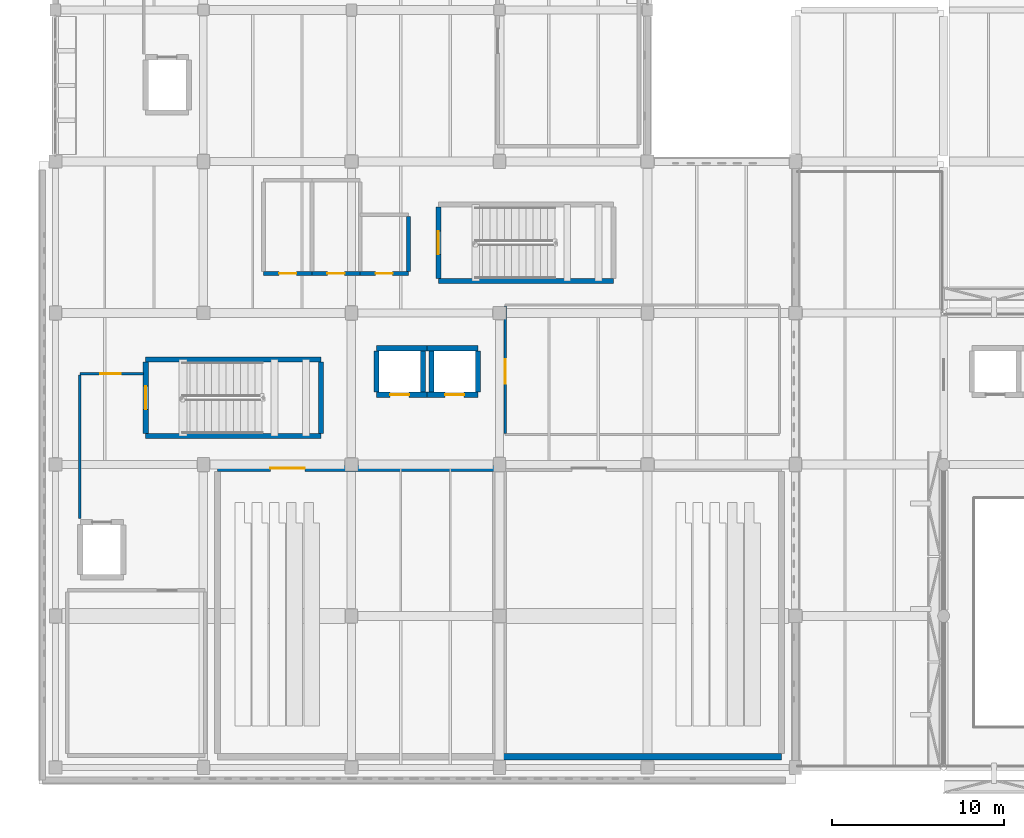
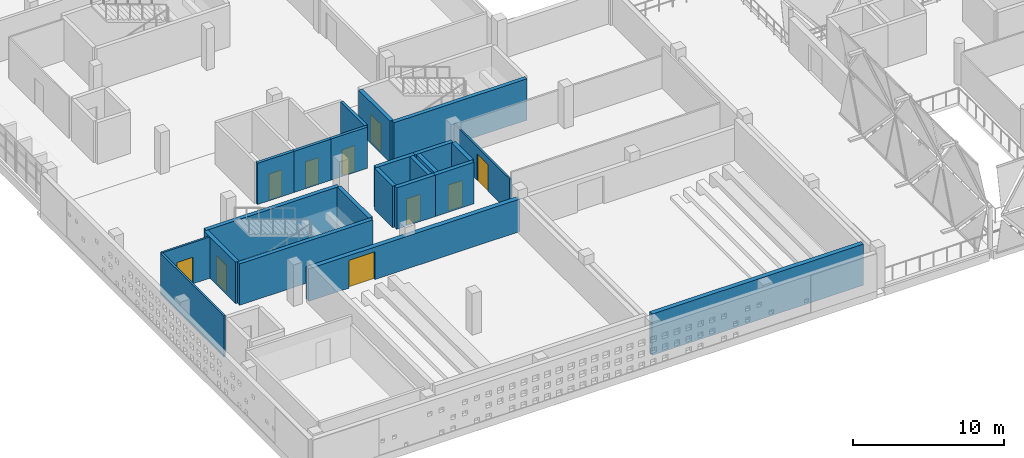
# One storey, part 76 of 93: 23 walls, 10 doors, 10 openings.
"""IFC4 building model written with IfcOpenShell, lengths in metres."""

from ifc_helpers import new_model, si_unit, direction, frame, frame_2d, origin, place, context, subcontext, project, spatial, rectangle, extrude, material, layer, layer_set, type_object, element, fill, save


model = new_model("IFC4")

# Units and contexts
model_context = context("Model", 3, precision=1e-05, world=origin(), true_north=direction((0.0, 1.0)))
body_context = subcontext(model_context, "Body", "Model", "MODEL_VIEW")
ifc_project = project(units=[si_unit("LENGTHUNIT", "METRE"), si_unit("AREAUNIT", "SQUARE_METRE"), si_unit("VOLUMEUNIT", "CUBIC_METRE"), si_unit("PLANEANGLEUNIT", "RADIAN"), si_unit("MASSUNIT", "GRAM", prefix="KILO")], contexts=[model_context])

# Site, building, storey
site_placement = place(None, origin())
site = spatial("IfcSite", under=ifc_project, at=site_placement, CompositionType="ELEMENT")
building_placement = place(site_placement, origin())
building = spatial("IfcBuilding", under=site, at=building_placement, Name="Varnakota Cinema and Media Centre", CompositionType="ELEMENT")
storey_placement = place(building_placement, frame((0.0, 0.0, 12.0)))
storey = spatial("IfcBuildingStorey", under=building, at=storey_placement, Name="L03", CompositionType="ELEMENT", Elevation=12.0)

# Wall
ifc_material_1 = material(Name="Concrete M40", Category="concrete")
ifc_layer_1 = layer(ifc_material_1, 0.300048828125)
ifc_layer_set_1 = layer_set([ifc_layer_1], Name="Concrete M40")
wall_type_1 = type_object("IfcWallType", Name="W-CORE-300", PredefinedType="SHEAR", material=ifc_layer_set_1)
wall_1_placement = place(storey_placement, frame((15.429931640625, 19.25, 0.0), z_axis=(0.0, 0.0, 1.0), x_axis=(-1.0, 0.0, 0.0)))
element("IfcWall", 1, at=wall_1_placement, inside=storey, type_object=wall_type_1, Name="L03 CWALL-ST-01-L03 S wall", PredefinedType="SHEAR", context=body_context, shape_type="SweptSolid", body=[
    extrude(rectangle(XDim=10.179931640625, YDim=0.300048828125, at=frame_2d((5.08984375, 0.0))), origin(), (0.0, 0.0, 1.0), 3.35009765625),
])

# Wall, opening, door
wall_2_placement = place(storey_placement, frame((5.25, 19.39990234375, 0.0), z_axis=(0.0, 0.0, 1.0), x_axis=(0.0, 1.0, 0.0)))
wall_2 = element("IfcWall", 2, at=wall_2_placement, inside=storey, type_object=wall_type_1, Name="L03 CWALL-ST-01-L03 W wall", PredefinedType="SHEAR", context=body_context, shape_type="SweptSolid", body=[
    extrude(rectangle(XDim=4.150146484375, YDim=0.300048828125, at=frame_2d((2.0751953125, 0.0))), origin(), (0.0, 0.0, 1.0), 3.35009765625),
])
opening_1_placement = place(wall_2_placement, frame((1.39990234375, 0.0, 0.0)))
opening_1 = element("IfcOpeningElement", 3, at=opening_1_placement, cuts=wall_2, Name="Opening SD-01", PredefinedType="OPENING", context=body_context, shape_type="SweptSolid", body=[
    extrude(rectangle(XDim=1.35009765625, YDim=2.199951171875, at=frame_2d((0.675048828125, 1.10009765625))), frame((0.0, 0.14990234375, 0.0), z_axis=(0.0, -1.0, 0.0), x_axis=(1.0, 0.0, 0.0)), (0.0, 0.0, 1.0), 0.300048828125),
])
ifc_material_2 = material(Name="Thermally broken anodised aluminium AW-6063", Category="aluminium")
door_type_1 = type_object("IfcDoorType", Name="DR-STAIR-1350x2200", OperationType="NOTDEFINED", PredefinedType="DOOR", material=ifc_material_2)
door_1_placement = place(opening_1_placement, origin())
door_1 = element("IfcDoor", 4, at=door_1_placement, inside=storey, type_object=door_type_1, Name="L03 door SD-01", OperationType="SINGLE_SWING_RIGHT", OverallHeight=2.199951171875, OverallWidth=1.35009765625, PredefinedType="DOOR", context=body_context, shape_type="SweptSolid", body=[
    extrude(rectangle(XDim=1.35009765625, YDim=2.199951171875, at=frame_2d((0.675048828125, 1.10009765625))), frame((0.0, 0.02490234375, 0.0), z_axis=(0.0, -1.0, 0.0), x_axis=(1.0, 0.0, 0.0)), (0.0, 0.0, 1.0), 0.050048828125),
])
fill(opening_1, door_1)

# Walls
wall_3_placement = place(storey_placement, frame((5.25, 23.699951171875, 0.0), z_axis=(0.0, 0.0, 1.0), x_axis=(1.0, 0.0, 0.0)))
element("IfcWall", 5, at=wall_3_placement, inside=storey, type_object=wall_type_1, Name="L03 CWALL-ST-01-L03 N wall", PredefinedType="SHEAR", context=body_context, shape_type="SweptSolid", body=[
    extrude(rectangle(XDim=10.179931640625, YDim=0.300048828125, at=frame_2d((5.08984375, 0.0))), origin(), (0.0, 0.0, 1.0), 3.35009765625),
])
wall_4_placement = place(storey_placement, frame((15.429931640625, 23.550048828125, 0.0), z_axis=(0.0, 0.0, 1.0), x_axis=(0.0, -1.0, 0.0)))
element("IfcWall", 6, at=wall_4_placement, inside=storey, type_object=wall_type_1, Name="L03 CWALL-ST-01-L03 E wall", PredefinedType="SHEAR", context=body_context, shape_type="SweptSolid", body=[
    extrude(rectangle(XDim=4.150146484375, YDim=0.300048828125, at=frame_2d((2.0751953125, 0.0))), origin(), (0.0, 0.0, 1.0), 3.35009765625),
])
wall_5_placement = place(storey_placement, frame((32.429931640625, 28.25, 0.0), z_axis=(0.0, 0.0, 1.0), x_axis=(-1.0, 0.0, 0.0)))
element("IfcWall", 7, at=wall_5_placement, inside=storey, type_object=wall_type_1, Name="L03 CWALL-ST-02-L03 S wall", PredefinedType="SHEAR", context=body_context, shape_type="SweptSolid", body=[
    extrude(rectangle(XDim=10.179931640625, YDim=0.300048828125, at=frame_2d((5.08984375, 0.0))), origin(), (0.0, 0.0, 1.0), 3.35009765625),
])

# Wall, opening, door
wall_6_placement = place(storey_placement, frame((22.25, 28.39990234375, 0.0), z_axis=(0.0, 0.0, 1.0), x_axis=(0.0, 1.0, 0.0)))
wall_6 = element("IfcWall", 8, at=wall_6_placement, inside=storey, type_object=wall_type_1, Name="L03 CWALL-ST-02-L03 W wall", PredefinedType="SHEAR", context=body_context, shape_type="SweptSolid", body=[
    extrude(rectangle(XDim=4.150146484375, YDim=0.300048828125, at=frame_2d((2.0751953125, 0.0))), origin(), (0.0, 0.0, 1.0), 3.35009765625),
])
opening_2_placement = place(wall_6_placement, frame((1.39990234375, 0.0, 0.0)))
opening_2 = element("IfcOpeningElement", 9, at=opening_2_placement, cuts=wall_6, Name="Opening SD-02", PredefinedType="OPENING", context=body_context, shape_type="SweptSolid", body=[
    extrude(rectangle(XDim=1.35009765625, YDim=2.199951171875, at=frame_2d((0.675048828125, 1.10009765625))), frame((0.0, 0.14990234375, 0.0), z_axis=(0.0, -1.0, 0.0), x_axis=(1.0, 0.0, 0.0)), (0.0, 0.0, 1.0), 0.300048828125),
])
door_2_placement = place(opening_2_placement, origin())
door_2 = element("IfcDoor", 10, at=door_2_placement, inside=storey, type_object=door_type_1, Name="L03 door SD-02", OperationType="SINGLE_SWING_RIGHT", OverallHeight=2.199951171875, OverallWidth=1.35009765625, PredefinedType="DOOR", context=body_context, shape_type="SweptSolid", body=[
    extrude(rectangle(XDim=1.35009765625, YDim=2.199951171875, at=frame_2d((0.675048828125, 1.10009765625))), frame((0.0, 0.02490234375, 0.0), z_axis=(0.0, -1.0, 0.0), x_axis=(1.0, 0.0, 0.0)), (0.0, 0.0, 1.0), 0.050048828125),
])
fill(opening_2, door_2)

wall_7_placement = place(storey_placement, frame((21.60009765625, 21.64990234375, 0.0), z_axis=(0.0, 0.0, 1.0), x_axis=(-1.0, 0.0, 0.0)))
wall_7 = element("IfcWall", 11, at=wall_7_placement, inside=storey, type_object=wall_type_1, Name="L03 LSHAFT-LF-03-L03 S wall", PredefinedType="SHEAR", context=body_context, shape_type="SweptSolid", body=[
    extrude(rectangle(XDim=2.9501953125, YDim=0.300048828125, at=frame_2d((1.47509765625, 0.0))), origin(), (0.0, 0.0, 1.0), 3.35009765625),
])
opening_3_placement = place(wall_7_placement, frame((1.050048828125, 0.0, 0.0)))
opening_3 = element("IfcOpeningElement", 12, at=opening_3_placement, cuts=wall_7, Name="Opening LD-03", PredefinedType="OPENING", context=body_context, shape_type="SweptSolid", body=[
    extrude(rectangle(XDim=1.10009765625, YDim=2.10009765625, at=frame_2d((0.550048828125, 1.050048828125))), frame((0.0, 0.14990234375, 0.0), z_axis=(0.0, -1.0, 0.0), x_axis=(1.0, 0.0, 0.0)), (0.0, 0.0, 1.0), 0.300048828125),
])
ifc_material_3 = material(Name="Thermally broken anodised aluminium AW-6063", Category="aluminium")
door_type_2 = type_object("IfcDoorType", Name="DR-LIFT-1100x2100", OperationType="SLIDING_TO_LEFT", PredefinedType="DOOR", material=ifc_material_3)
door_3_placement = place(opening_3_placement, origin())
door_3 = element("IfcDoor", 13, at=door_3_placement, inside=storey, type_object=door_type_2, Name="L03 door LD-03", OperationType="SLIDING_TO_LEFT", OverallHeight=2.10009765625, OverallWidth=1.10009765625, PredefinedType="DOOR", context=body_context, shape_type="SweptSolid", body=[
    extrude(rectangle(XDim=1.10009765625, YDim=2.10009765625, at=frame_2d((0.550048828125, 1.050048828125))), frame((0.0, 0.02490234375, 0.0), z_axis=(0.0, -1.0, 0.0), x_axis=(1.0, 0.0, 0.0)), (0.0, 0.0, 1.0), 0.050048828125),
])
fill(opening_3, door_3)

# Walls
wall_8_placement = place(storey_placement, frame((18.64990234375, 21.800048828125, 0.0), z_axis=(0.0, 0.0, 1.0), x_axis=(0.0, 1.0, 0.0)))
element("IfcWall", 14, at=wall_8_placement, inside=storey, type_object=wall_type_1, Name="L03 LSHAFT-LF-03-L03 W wall", PredefinedType="SHEAR", context=body_context, shape_type="SweptSolid", body=[
    extrude(rectangle(XDim=2.39990234375, YDim=0.300048828125, at=frame_2d((1.199951171875, 0.0))), origin(), (0.0, 0.0, 1.0), 3.35009765625),
])
wall_9_placement = place(storey_placement, frame((18.64990234375, 24.35009765625, 0.0), z_axis=(0.0, 0.0, 1.0), x_axis=(1.0, 0.0, 0.0)))
element("IfcWall", 15, at=wall_9_placement, inside=storey, type_object=wall_type_1, Name="L03 LSHAFT-LF-03-L03 N wall", PredefinedType="SHEAR", context=body_context, shape_type="SweptSolid", body=[
    extrude(rectangle(XDim=2.9501953125, YDim=0.300048828125, at=frame_2d((1.47509765625, 0.0))), origin(), (0.0, 0.0, 1.0), 3.35009765625),
])
wall_10_placement = place(storey_placement, frame((21.35009765625, 24.199951171875, 0.0), z_axis=(0.0, 0.0, 1.0), x_axis=(0.0, -1.0, 0.0)))
element("IfcWall", 16, at=wall_10_placement, inside=storey, type_object=wall_type_1, Name="L03 LSHAFT-LF-03-L03 E wall", PredefinedType="SHEAR", context=body_context, shape_type="SweptSolid", body=[
    extrude(rectangle(XDim=2.39990234375, YDim=0.300048828125, at=frame_2d((1.199951171875, 0.0))), origin(), (0.0, 0.0, 1.0), 3.35009765625),
])

# Wall, opening, door
wall_11_placement = place(storey_placement, frame((24.550048828125, 21.64990234375, 0.0), z_axis=(0.0, 0.0, 1.0), x_axis=(-1.0, 0.0, 0.0)))
wall_11 = element("IfcWall", 17, at=wall_11_placement, inside=storey, type_object=wall_type_1, Name="L03 LSHAFT-LF-04-L03 S wall", PredefinedType="SHEAR", context=body_context, shape_type="SweptSolid", body=[
    extrude(rectangle(XDim=2.949951171875, YDim=0.300048828125, at=frame_2d((1.47509765625, 0.0))), origin(), (0.0, 0.0, 1.0), 3.35009765625),
])
opening_4_placement = place(wall_11_placement, frame((0.800048828125, 0.0, 0.0)))
opening_4 = element("IfcOpeningElement", 18, at=opening_4_placement, cuts=wall_11, Name="Opening LD-04", PredefinedType="OPENING", context=body_context, shape_type="SweptSolid", body=[
    extrude(rectangle(XDim=1.10009765625, YDim=2.10009765625, at=frame_2d((0.550048828125, 1.050048828125))), frame((0.0, 0.14990234375, 0.0), z_axis=(0.0, -1.0, 0.0), x_axis=(1.0, 0.0, 0.0)), (0.0, 0.0, 1.0), 0.300048828125),
])
door_4_placement = place(opening_4_placement, origin())
door_4 = element("IfcDoor", 19, at=door_4_placement, inside=storey, type_object=door_type_2, Name="L03 door LD-04", OperationType="SLIDING_TO_LEFT", OverallHeight=2.10009765625, OverallWidth=1.10009765625, PredefinedType="DOOR", context=body_context, shape_type="SweptSolid", body=[
    extrude(rectangle(XDim=1.10009765625, YDim=2.10009765625, at=frame_2d((0.550048828125, 1.050048828125))), frame((0.0, 0.02490234375, 0.0), z_axis=(0.0, -1.0, 0.0), x_axis=(1.0, 0.0, 0.0)), (0.0, 0.0, 1.0), 0.050048828125),
])
fill(opening_4, door_4)

# Walls
wall_12_placement = place(storey_placement, frame((21.85009765625, 21.800048828125, 0.0), z_axis=(0.0, 0.0, 1.0), x_axis=(0.0, 1.0, 0.0)))
element("IfcWall", 20, at=wall_12_placement, inside=storey, type_object=wall_type_1, Name="L03 LSHAFT-LF-04-L03 W wall", PredefinedType="SHEAR", context=body_context, shape_type="SweptSolid", body=[
    extrude(rectangle(XDim=2.39990234375, YDim=0.300048828125, at=frame_2d((1.199951171875, 0.0))), origin(), (0.0, 0.0, 1.0), 3.35009765625),
])
wall_13_placement = place(storey_placement, frame((21.60009765625, 24.35009765625, 0.0), z_axis=(0.0, 0.0, 1.0), x_axis=(1.0, 0.0, 0.0)))
element("IfcWall", 21, at=wall_13_placement, inside=storey, type_object=wall_type_1, Name="L03 LSHAFT-LF-04-L03 N wall", PredefinedType="SHEAR", context=body_context, shape_type="SweptSolid", body=[
    extrude(rectangle(XDim=2.949951171875, YDim=0.300048828125, at=frame_2d((1.47509765625, 0.0))), origin(), (0.0, 0.0, 1.0), 3.35009765625),
])
wall_14_placement = place(storey_placement, frame((24.550048828125, 24.199951171875, 0.0), z_axis=(0.0, 0.0, 1.0), x_axis=(0.0, -1.0, 0.0)))
element("IfcWall", 22, at=wall_14_placement, inside=storey, type_object=wall_type_1, Name="L03 LSHAFT-LF-04-L03 E wall", PredefinedType="SHEAR", context=body_context, shape_type="SweptSolid", body=[
    extrude(rectangle(XDim=2.39990234375, YDim=0.300048828125, at=frame_2d((1.199951171875, 0.0))), origin(), (0.0, 0.0, 1.0), 3.35009765625),
])

# Wall, opening, door
ifc_material_4 = material(Name="Autoclaved aerated concrete blockwork", Category="masonry")
ifc_layer_2 = layer(ifc_material_4, 0.1298828125)
ifc_layer_set_2 = layer_set([ifc_layer_2], Name="Autoclaved aerated concrete blockwork")
wall_type_2 = type_object("IfcWallType", Name="W-PART-130", PredefinedType="PARTITIONING", material=ifc_layer_set_2)
wall_15_placement = place(storey_placement, frame((26.135009765625, 19.39990234375, 0.0), z_axis=(0.0, 0.0, 1.0), x_axis=(0.0, 1.0, 0.0)))
wall_15 = element("IfcWall", 23, at=wall_15_placement, inside=storey, type_object=wall_type_2, Name="L03 RWALL-RM-L03-SYMP W wall", PredefinedType="PARTITIONING", context=body_context, shape_type="SweptSolid", body=[
    extrude(rectangle(XDim=7.400146484375, YDim=0.1298828125, at=frame_2d((3.7001953125, 0.0))), origin(), (0.0, 0.0, 1.0), 2.72998046875),
])
opening_5_placement = place(wall_15_placement, frame((2.89990234375, 0.0, 0.0)))
opening_5 = element("IfcOpeningElement", 24, at=opening_5_placement, cuts=wall_15, Name="Opening D-091", PredefinedType="OPENING", context=body_context, shape_type="SweptSolid", body=[
    extrude(rectangle(XDim=1.39990234375, YDim=2.14990234375, at=frame_2d((0.699951171875, 1.074951171875))), frame((0.0, 0.06494140625, 0.0), z_axis=(0.0, -1.0, 0.0), x_axis=(1.0, 0.0, 0.0)), (0.0, 0.0, 1.0), 0.1298828125),
])
ifc_material_5 = material(Name="Thermally broken anodised aluminium AW-6063", Category="aluminium")
door_type_3 = type_object("IfcDoorType", Name="DR-STD-1400x2150", OperationType="DOUBLE_DOOR_SINGLE_SWING", PredefinedType="DOOR", material=ifc_material_5)
door_5_placement = place(opening_5_placement, origin())
door_5 = element("IfcDoor", 25, at=door_5_placement, inside=storey, type_object=door_type_3, Name="L03 door D-091", OperationType="DOUBLE_DOOR_SINGLE_SWING", OverallHeight=2.14990234375, OverallWidth=1.39990234375, PredefinedType="DOOR", context=body_context, shape_type="SweptSolid", body=[
    extrude(rectangle(XDim=1.39990234375, YDim=2.14990234375, at=frame_2d((0.699951171875, 1.074951171875))), frame((0.0, 0.02490234375, 0.0), z_axis=(0.0, -1.0, 0.0), x_axis=(1.0, 0.0, 0.0)), (0.0, 0.0, 1.0), 0.050048828125),
])
fill(opening_5, door_5)

# Wall
ifc_material_6 = material(Name="Autoclaved aerated concrete blockwork", Category="masonry")
ifc_layer_3 = layer(ifc_material_6, 0.14990234375)
ifc_layer_set_3 = layer_set([ifc_layer_3], Name="Autoclaved aerated concrete blockwork")
wall_type_3 = type_object("IfcWallType", Name="W-PART-150", PredefinedType="PARTITIONING", material=ifc_layer_set_3)
wall_16_placement = place(storey_placement, frame((1.425048828125, 14.449951171875, 0.0), z_axis=(0.0, 0.0, 1.0), x_axis=(0.0, 1.0, 0.0)))
element("IfcWall", 26, at=wall_16_placement, inside=storey, type_object=wall_type_3, Name="L03 RWALL-RM-L03-FF-1 W wall", PredefinedType="PARTITIONING", context=body_context, shape_type="SweptSolid", body=[
    extrude(rectangle(XDim=8.35009765625, YDim=0.14990234375, at=frame_2d((4.175048828125, 0.0))), origin(), (0.0, 0.0, 1.0), 3.330078125),
])

# Wall, opening, door
wall_17_placement = place(storey_placement, frame((1.425048828125, 22.875, 0.0), z_axis=(0.0, 0.0, 1.0), x_axis=(1.0, 0.0, 0.0)))
wall_17 = element("IfcWall", 27, at=wall_17_placement, inside=storey, type_object=wall_type_3, Name="L03 RWALL-RM-L03-FF-1 N wall", PredefinedType="PARTITIONING", context=body_context, shape_type="SweptSolid", body=[
    extrude(rectangle(XDim=3.699951171875, YDim=0.14990234375, at=frame_2d((1.85009765625, 0.0))), origin(), (0.0, 0.0, 1.0), 3.330078125),
])
opening_6_placement = place(wall_17_placement, frame((1.175048828125, 0.0, 0.0)))
opening_6 = element("IfcOpeningElement", 28, at=opening_6_placement, cuts=wall_17, Name="Opening D-005", PredefinedType="OPENING", context=body_context, shape_type="SweptSolid", body=[
    extrude(rectangle(XDim=1.199951171875, YDim=2.14990234375, at=frame_2d((0.60009765625, 1.074951171875))), frame((0.0, 0.074951171875, 0.0), z_axis=(0.0, -1.0, 0.0), x_axis=(1.0, 0.0, 0.0)), (0.0, 0.0, 1.0), 0.14990234375),
])
ifc_material_7 = material(Name="Thermally broken anodised aluminium AW-6063", Category="aluminium")
door_type_4 = type_object("IfcDoorType", Name="DR-STD-1200x2150", OperationType="NOTDEFINED", PredefinedType="DOOR", material=ifc_material_7)
door_6_placement = place(opening_6_placement, origin())
door_6 = element("IfcDoor", 29, at=door_6_placement, inside=storey, type_object=door_type_4, Name="L03 door D-005", OperationType="SINGLE_SWING_LEFT", OverallHeight=2.14990234375, OverallWidth=1.199951171875, PredefinedType="DOOR", context=body_context, shape_type="SweptSolid", body=[
    extrude(rectangle(XDim=1.199951171875, YDim=2.14990234375, at=frame_2d((0.60009765625, 1.074951171875))), frame((0.0, 0.02490234375, 0.0), z_axis=(0.0, -1.0, 0.0), x_axis=(1.0, 0.0, 0.0)), (0.0, 0.0, 1.0), 0.050048828125),
])
fill(opening_6, door_6)

ifc_material_8 = material(Name="Autoclaved aerated concrete blockwork", Category="masonry")
ifc_layer_4 = layer(ifc_material_8, 0.219970703125)
ifc_layer_set_4 = layer_set([ifc_layer_4], Name="Autoclaved aerated concrete blockwork")
wall_type_4 = type_object("IfcWallType", Name="W-PLUMB-220", PredefinedType="PLUMBINGWALL", material=ifc_layer_set_4)
wall_18_placement = place(storey_placement, frame((14.909912109375, 28.68994140625, 0.0), z_axis=(0.0, 0.0, 1.0), x_axis=(-1.0, 0.0, 0.0)))
wall_18 = element("IfcWall", 30, at=wall_18_placement, inside=storey, type_object=wall_type_4, Name="L03 RWALL-RM-L03-WCM S wall", PredefinedType="PLUMBINGWALL", context=body_context, shape_type="SweptSolid", body=[
    extrude(rectangle(XDim=2.81982421875, YDim=0.219970703125, at=frame_2d((1.409912109375, 0.0))), origin(), (0.0, 0.0, 1.0), 3.330078125),
])
opening_7_placement = place(wall_18_placement, frame((0.909912109375, 0.0, 0.0)))
opening_7 = element("IfcOpeningElement", 31, at=opening_7_placement, cuts=wall_18, Name="Opening D-026", PredefinedType="OPENING", context=body_context, shape_type="SweptSolid", body=[
    extrude(rectangle(XDim=1.0, YDim=2.10009765625, at=frame_2d((0.5, 1.050048828125))), frame((0.0, 0.10986328125, 0.0), z_axis=(0.0, -1.0, 0.0), x_axis=(1.0, 0.0, 0.0)), (0.0, 0.0, 1.0), 0.219970703125),
])
ifc_material_9 = material(Name="Thermally broken anodised aluminium AW-6063", Category="aluminium")
door_type_5 = type_object("IfcDoorType", Name="DR-STD-1000x2100", OperationType="NOTDEFINED", PredefinedType="DOOR", material=ifc_material_9)
door_7_placement = place(opening_7_placement, origin())
door_7 = element("IfcDoor", 32, at=door_7_placement, inside=storey, type_object=door_type_5, Name="L03 door D-026", OperationType="SINGLE_SWING_RIGHT", OverallHeight=2.10009765625, OverallWidth=1.0, PredefinedType="DOOR", context=body_context, shape_type="SweptSolid", body=[
    extrude(rectangle(XDim=1.0, YDim=2.10009765625, at=frame_2d((0.5, 1.050048828125))), frame((0.0, 0.02490234375, 0.0), z_axis=(0.0, -1.0, 0.0), x_axis=(1.0, 0.0, 0.0)), (0.0, 0.0, 1.0), 0.050048828125),
])
fill(opening_7, door_7)

wall_19_placement = place(storey_placement, frame((17.7099609375, 28.68994140625, 0.0), z_axis=(0.0, 0.0, 1.0), x_axis=(-1.0, 0.0, 0.0)))
wall_19 = element("IfcWall", 33, at=wall_19_placement, inside=storey, type_object=wall_type_4, Name="L03 RWALL-RM-L03-WCF S wall", PredefinedType="PLUMBINGWALL", context=body_context, shape_type="SweptSolid", body=[
    extrude(rectangle(XDim=2.820068359375, YDim=0.219970703125, at=frame_2d((1.41015625, 0.0))), origin(), (0.0, 0.0, 1.0), 3.330078125),
])
opening_8_placement = place(wall_19_placement, frame((0.909912109375, 0.0, 0.0)))
opening_8 = element("IfcOpeningElement", 34, at=opening_8_placement, cuts=wall_19, Name="Opening D-027", PredefinedType="OPENING", context=body_context, shape_type="SweptSolid", body=[
    extrude(rectangle(XDim=1.0, YDim=2.10009765625, at=frame_2d((0.5, 1.050048828125))), frame((0.0, 0.10986328125, 0.0), z_axis=(0.0, -1.0, 0.0), x_axis=(1.0, 0.0, 0.0)), (0.0, 0.0, 1.0), 0.219970703125),
])
door_8_placement = place(opening_8_placement, origin())
door_8 = element("IfcDoor", 35, at=door_8_placement, inside=storey, type_object=door_type_5, Name="L03 door D-027", OperationType="SINGLE_SWING_LEFT", OverallHeight=2.10009765625, OverallWidth=1.0, PredefinedType="DOOR", context=body_context, shape_type="SweptSolid", body=[
    extrude(rectangle(XDim=1.0, YDim=2.10009765625, at=frame_2d((0.5, 1.050048828125))), frame((0.0, 0.02490234375, 0.0), z_axis=(0.0, -1.0, 0.0), x_axis=(1.0, 0.0, 0.0)), (0.0, 0.0, 1.0), 0.050048828125),
])
fill(opening_8, door_8)

wall_20_placement = place(storey_placement, frame((20.510009765625, 28.68994140625, 0.0), z_axis=(0.0, 0.0, 1.0), x_axis=(-1.0, 0.0, 0.0)))
wall_20 = element("IfcWall", 36, at=wall_20_placement, inside=storey, type_object=wall_type_4, Name="L03 RWALL-RM-L03-WCA S wall", PredefinedType="PLUMBINGWALL", context=body_context, shape_type="SweptSolid", body=[
    extrude(rectangle(XDim=2.820068359375, YDim=0.219970703125, at=frame_2d((1.41015625, 0.0))), origin(), (0.0, 0.0, 1.0), 3.330078125),
])
opening_9_placement = place(wall_20_placement, frame((0.909912109375, 0.0, 0.0)))
opening_9 = element("IfcOpeningElement", 37, at=opening_9_placement, cuts=wall_20, Name="Opening D-028", PredefinedType="OPENING", context=body_context, shape_type="SweptSolid", body=[
    extrude(rectangle(XDim=1.0, YDim=2.10009765625, at=frame_2d((0.5, 1.050048828125))), frame((0.0, 0.10986328125, 0.0), z_axis=(0.0, -1.0, 0.0), x_axis=(1.0, 0.0, 0.0)), (0.0, 0.0, 1.0), 0.219970703125),
])
door_9_placement = place(opening_9_placement, origin())
door_9 = element("IfcDoor", 38, at=door_9_placement, inside=storey, type_object=door_type_5, Name="L03 door D-028", OperationType="SINGLE_SWING_RIGHT", OverallHeight=2.10009765625, OverallWidth=1.0, PredefinedType="DOOR", context=body_context, shape_type="SweptSolid", body=[
    extrude(rectangle(XDim=1.0, YDim=2.10009765625, at=frame_2d((0.5, 1.050048828125))), frame((0.0, 0.02490234375, 0.0), z_axis=(0.0, -1.0, 0.0), x_axis=(1.0, 0.0, 0.0)), (0.0, 0.0, 1.0), 0.050048828125),
])
fill(opening_9, door_9)

# Wall
wall_21_placement = place(storey_placement, frame((20.510009765625, 32.0, 0.0), z_axis=(0.0, 0.0, 1.0), x_axis=(0.0, -1.0, 0.0)))
element("IfcWall", 39, at=wall_21_placement, inside=storey, type_object=wall_type_4, Name="L03 RWALL-RM-L03-WCA E wall", PredefinedType="PLUMBINGWALL", context=body_context, shape_type="SweptSolid", body=[
    extrude(rectangle(XDim=3.199951171875, YDim=0.219970703125, at=frame_2d((1.60009765625, 0.0))), origin(), (0.0, 0.0, 1.0), 3.330078125),
])

# Wall, opening, door
ifc_material_10 = material(Name="Concrete M40", Category="concrete")
ifc_layer_5 = layer(ifc_material_10, 0.35009765625)
ifc_layer_set_5 = layer_set([ifc_layer_5], Name="Concrete M40")
wall_type_5 = type_object("IfcWallType", Name="W-SEP-350", PredefinedType="SOLIDWALL", material=ifc_layer_set_5)
wall_22_placement = place(storey_placement, frame((9.425048828125, 17.375, 0.0), z_axis=(0.0, 0.0, 1.0), x_axis=(1.0, 0.0, 0.0)))
wall_22 = element("IfcWall", 40, at=wall_22_placement, inside=storey, type_object=wall_type_5, Name="L03 RWALL-RM-L03-SCR4 N wall", PredefinedType="SOLIDWALL", context=body_context, shape_type="SweptSolid", body=[
    extrude(rectangle(XDim=16.14990234375, YDim=0.35009765625, at=frame_2d((8.074951171875, 0.0))), origin(), (0.0, 0.0, 1.0), 2.6298828125),
])
opening_10_placement = place(wall_22_placement, frame((3.074951171875, 0.0, 0.0)))
opening_10 = element("IfcOpeningElement", 41, at=opening_10_placement, cuts=wall_22, Name="Opening D-089", PredefinedType="OPENING", context=body_context, shape_type="SweptSolid", body=[
    extrude(rectangle(XDim=2.0, YDim=2.25, at=frame_2d((1.0, 1.125))), frame((0.0, 0.175048828125, 0.0), z_axis=(0.0, -1.0, 0.0), x_axis=(1.0, 0.0, 0.0)), (0.0, 0.0, 1.0), 0.35009765625),
])
ifc_material_11 = material(Name="Thermally broken anodised aluminium AW-6063", Category="aluminium")
door_type_6 = type_object("IfcDoorType", Name="DR-AUD-2000x2250", OperationType="DOUBLE_DOOR_SINGLE_SWING", PredefinedType="DOOR", material=ifc_material_11)
door_10_placement = place(opening_10_placement, origin())
door_10 = element("IfcDoor", 42, at=door_10_placement, inside=storey, type_object=door_type_6, Name="L03 door D-089", OperationType="DOUBLE_DOOR_SINGLE_SWING", OverallHeight=2.25, OverallWidth=2.0, PredefinedType="DOOR", context=body_context, shape_type="SweptSolid", body=[
    extrude(rectangle(XDim=2.0, YDim=2.25, at=frame_2d((1.0, 1.125))), frame((0.0, 0.02490234375, 0.0), z_axis=(0.0, -1.0, 0.0), x_axis=(1.0, 0.0, 0.0)), (0.0, 0.0, 1.0), 0.050048828125),
])
fill(opening_10, door_10)

# Wall
wall_23_placement = place(storey_placement, frame((42.175048828125, 0.625, 0.0), z_axis=(0.0, 0.0, 1.0), x_axis=(-1.0, 0.0, 0.0)))
element("IfcWall", 43, at=wall_23_placement, inside=storey, type_object=wall_type_5, Name="L03 RWALL-RM-L03-SCR5 S wall", PredefinedType="SOLIDWALL", context=body_context, shape_type="SweptSolid", body=[
    extrude(rectangle(XDim=16.150146484375, YDim=0.35009765625, at=frame_2d((8.0751953125, 0.0))), origin(), (0.0, 0.0, 1.0), 3.330078125),
])

save(model, "model.ifc")
